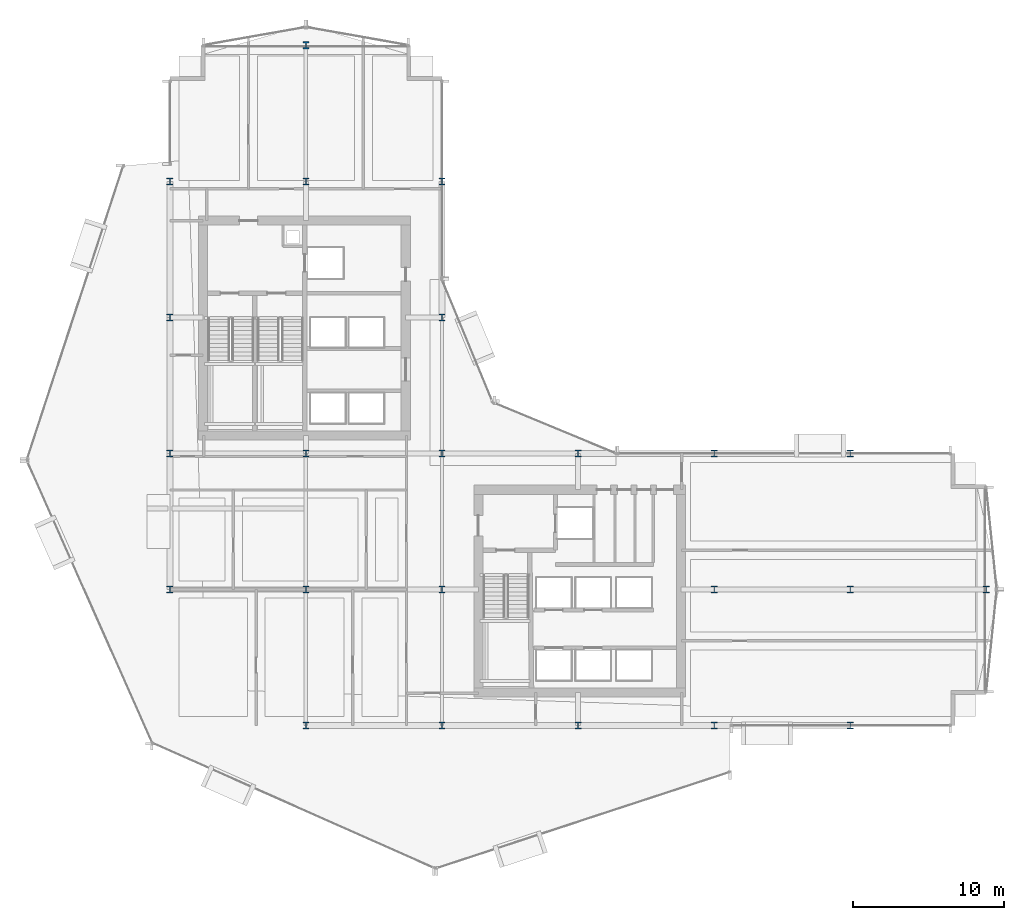
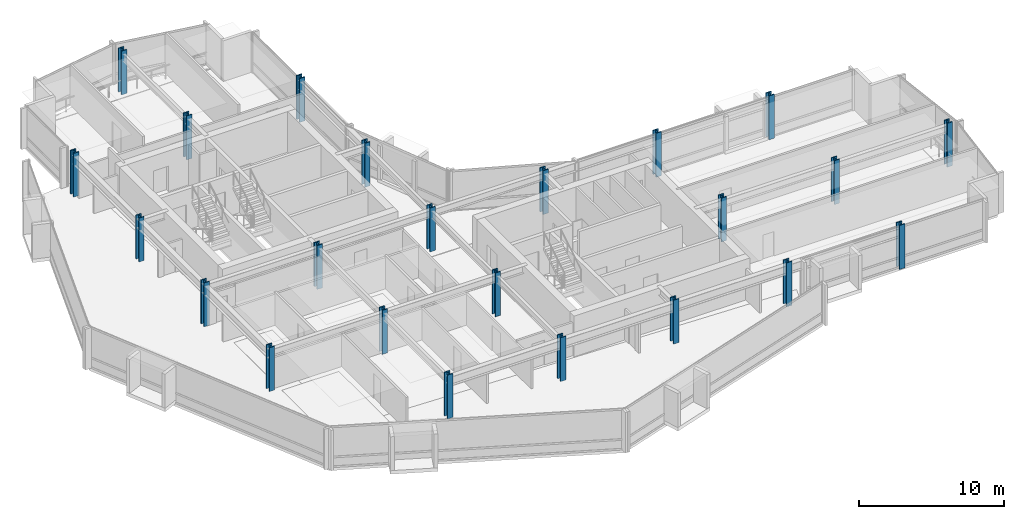
# One storey, part 1 of 34: 23 columns.
"""IFC4 building model written with IfcOpenShell, lengths in metres."""

from ifc_helpers import new_model, si_unit, direction, frame, origin, origin_2d, place, context, subcontext, project, spatial, i_section, extrude, material, material_profile, profile_set, type_object, element, save


model = new_model("IFC4")

# Units and contexts
model_context = context("Model", 3, precision=1e-05, world=origin(), true_north=direction((0.0, 1.0)))
body_context = subcontext(model_context, "Body", "Model", "MODEL_VIEW")
ifc_project = project(units=[si_unit("LENGTHUNIT", "METRE"), si_unit("AREAUNIT", "SQUARE_METRE"), si_unit("VOLUMEUNIT", "CUBIC_METRE"), si_unit("PLANEANGLEUNIT", "RADIAN"), si_unit("MASSUNIT", "GRAM", prefix="KILO")], contexts=[model_context])

# Site, building, storey
site_placement = place(None, origin())
site = spatial("IfcSite", under=ifc_project, at=site_placement, CompositionType="ELEMENT")
building_placement = place(site_placement, origin())
building = spatial("IfcBuilding", under=site, at=building_placement, Name="Solvaryn Broadcast Tower", CompositionType="ELEMENT")
storey_placement = place(building_placement, frame((0.0, 0.0, 73.0)))
storey = spatial("IfcBuildingStorey", under=building, at=storey_placement, Name="L17", CompositionType="ELEMENT", Elevation=73.0)

# Columns
ifc_material_1 = material(Name="Steel ASTM A913 Grade 65", Category="steel")
ifc_material_profile_1 = material_profile(ifc_material_1, i_section(OverallWidth=0.424072265625, OverallDepth=0.47412109375, WebThickness=0.047607421875, FlangeThickness=0.0771484375, FilletRadius=0.014892578125, at=origin_2d()))
ifc_profile_set_1 = profile_set([ifc_material_profile_1], Name="Steel ASTM A913 Grade 65")
column_type_1 = type_object("IfcColumnType", Name="COL-C04E-W14X426", PredefinedType="COLUMN", material=ifc_profile_set_1)
for number, where, z_axis, x_axis, name in (
    (1, (9.0, 18.0, 0.0), (0.0, 0.0, 1.0), (1.0, 0.0, 0.0), "L17 Column (9.0, 18.0)"),
    (2, (9.0, 27.0, 0.0), (0.0, 0.0, 1.0), (1.0, 0.0, 0.0), "L17 Column (9.0, 27.0)"),
    (3, (9.0, 36.0, 0.0), (0.0, 0.0, 1.0), (1.0, 0.0, 0.0), "L17 Column (9.0, 36.0)"),
    (4, (9.0, 45.0, 0.0), (0.0, 0.0, 1.0), (1.0, 0.0, 0.0), "L17 Column (9.0, 45.0)"),
    (5, (18.0, 9.0, 0.0), (0.0, 0.0, 1.0), (1.0, 0.0, 0.0), "L17 Column (18.0, 9.0)"),
    (6, (18.0, 54.0, 0.0), (0.0, 0.0, 1.0), (1.0, 0.0, 0.0), "L17 Column (18.0, 54.0)"),
    (7, (27.0, 9.0, 0.0), (0.0, 0.0, 1.0), (1.0, 0.0, 0.0), "L17 Column (27.0, 9.0)"),
    (8, (27.0, 36.0, 0.0), (0.0, 0.0, 1.0), (1.0, 0.0, 0.0), "L17 Column (27.0, 36.0)"),
    (9, (27.0, 45.0, 0.0), (0.0, 0.0, 1.0), (1.0, 0.0, 0.0), "L17 Column (27.0, 45.0)"),
    (10, (36.0, 9.0, 0.0), (0.0, 0.0, 1.0), (1.0, 0.0, 0.0), "L17 Column (36.0, 9.0)"),
    (11, (36.0, 27.0, 0.0), (0.0, 0.0, 1.0), (1.0, 0.0, 0.0), "L17 Column (36.0, 27.0)"),
    (12, (45.0, 9.0, 0.0), (0.0, 0.0, 1.0), (1.0, 0.0, 0.0), "L17 Column (45.0, 9.0)"),
    (13, (45.0, 27.0, 0.0), (0.0, 0.0, 1.0), (1.0, 0.0, 0.0), "L17 Column (45.0, 27.0)"),
    (14, (54.0, 9.0, 0.0), (0.0, 0.0, 1.0), (1.0, 0.0, 0.0), "L17 Column (54.0, 9.0)"),
    (15, (54.0, 27.0, 0.0), (0.0, 0.0, 1.0), (1.0, 0.0, 0.0), "L17 Column (54.0, 27.0)"),
    (16, (63.0, 18.0, 0.0), (0.0, 0.0, 1.0), (1.0, 0.0, 0.0), "L17 Column (63.0, 18.0)"),
):
    element("IfcColumn", number, at=place(storey_placement, frame(where, z_axis=z_axis, x_axis=x_axis)), inside=storey, type_object=column_type_1, Name=name, PredefinedType="COLUMN", context=body_context, shape_type="SweptSolid", body=[
        extrude(i_section(OverallWidth=0.424072265625, OverallDepth=0.47412109375, WebThickness=0.047607421875, FlangeThickness=0.0771484375, FilletRadius=0.014892578125, at=origin_2d()), origin(), (0.0, 0.0, 1.0), 3.699951171875),
    ])
ifc_material_2 = material(Name="Steel ASTM A913 Grade 65", Category="steel")
ifc_material_profile_2 = material_profile(ifc_material_2, i_section(OverallWidth=0.424072265625, OverallDepth=0.47412109375, WebThickness=0.047607421875, FlangeThickness=0.0771484375, FilletRadius=0.014892578125, at=origin_2d()))
ifc_profile_set_2 = profile_set([ifc_material_profile_2], Name="Steel ASTM A913 Grade 65")
column_type_2 = type_object("IfcColumnType", Name="COL-C04I-W14X426", PredefinedType="COLUMN", material=ifc_profile_set_2)
for number, where, z_axis, x_axis, name in (
    (17, (18.0, 18.0, 0.0), (0.0, 0.0, 1.0), (1.0, 0.0, 0.0), "L17 Column (18.0, 18.0)"),
    (18, (18.0, 27.0, 0.0), (0.0, 0.0, 1.0), (1.0, 0.0, 0.0), "L17 Column (18.0, 27.0)"),
    (19, (18.0, 45.0, 0.0), (0.0, 0.0, 1.0), (1.0, 0.0, 0.0), "L17 Column (18.0, 45.0)"),
    (20, (27.0, 18.0, 0.0), (0.0, 0.0, 1.0), (1.0, 0.0, 0.0), "L17 Column (27.0, 18.0)"),
    (21, (27.0, 27.0, 0.0), (0.0, 0.0, 1.0), (1.0, 0.0, 0.0), "L17 Column (27.0, 27.0)"),
    (22, (45.0, 18.0, 0.0), (0.0, 0.0, 1.0), (1.0, 0.0, 0.0), "L17 Column (45.0, 18.0)"),
    (23, (54.0, 18.0, 0.0), (0.0, 0.0, 1.0), (1.0, 0.0, 0.0), "L17 Column (54.0, 18.0)"),
):
    element("IfcColumn", number, at=place(storey_placement, frame(where, z_axis=z_axis, x_axis=x_axis)), inside=storey, type_object=column_type_2, Name=name, PredefinedType="COLUMN", context=body_context, shape_type="SweptSolid", body=[
        extrude(i_section(OverallWidth=0.424072265625, OverallDepth=0.47412109375, WebThickness=0.047607421875, FlangeThickness=0.0771484375, FilletRadius=0.014892578125, at=origin_2d()), origin(), (0.0, 0.0, 1.0), 3.699951171875),
    ])

save(model, "model.ifc")
